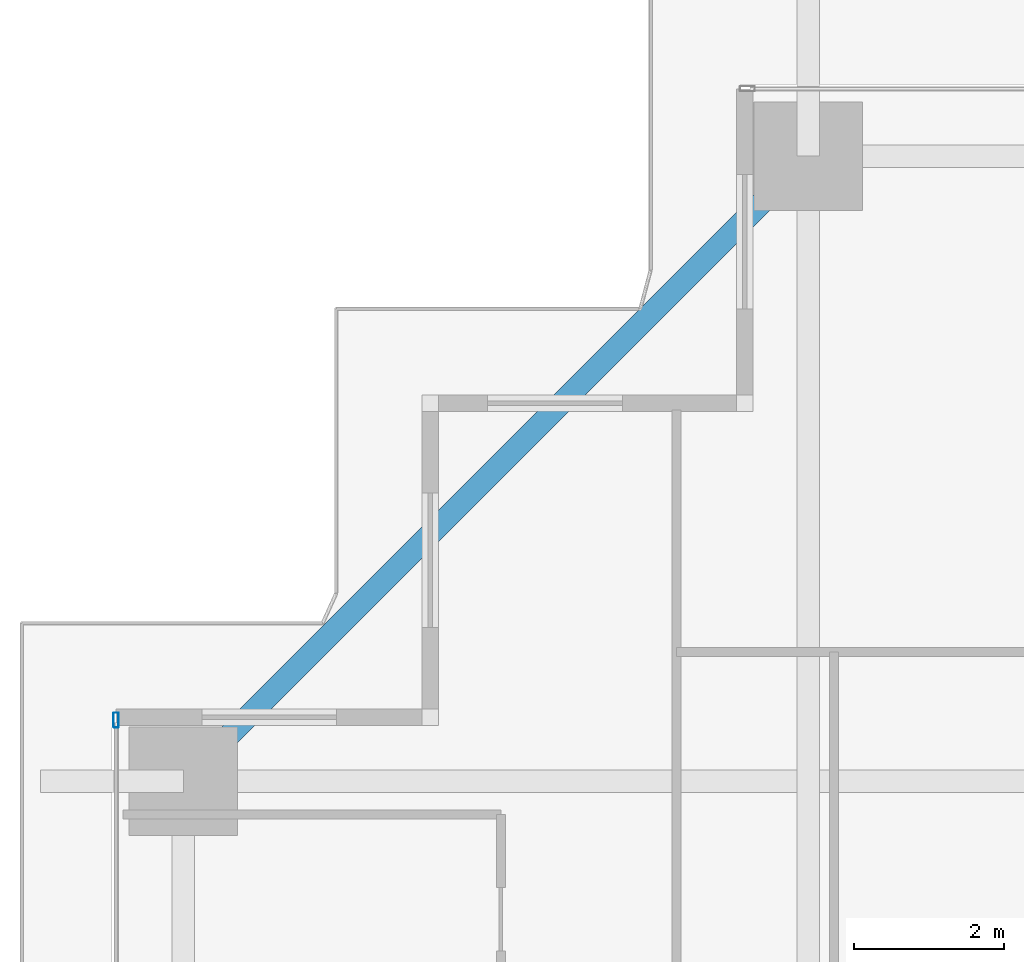
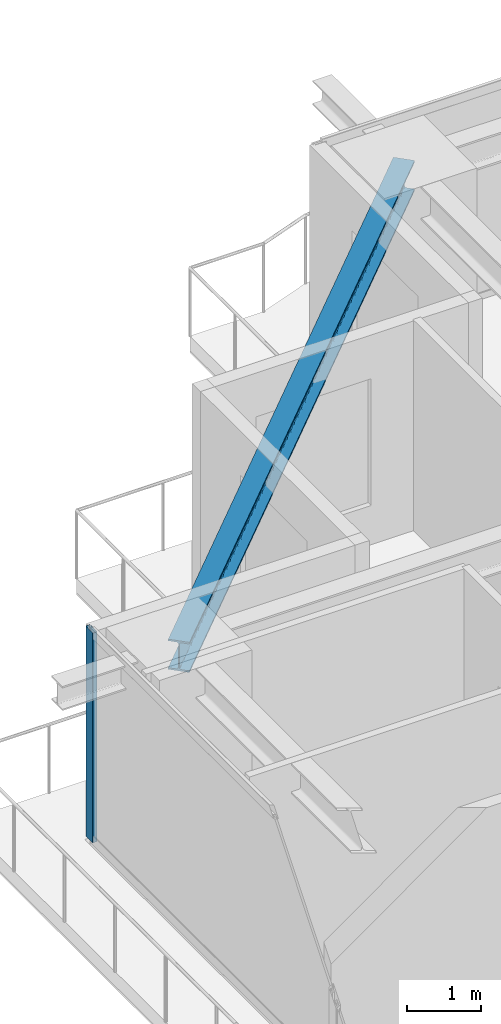
# One storey, part 18 of 38: 1 beam, 1 member, 1 element without a shape of its own.
"""IFC4 building model written with IfcOpenShell, lengths in metres."""

import ifcopenshell
import ifcopenshell.guid

model = None  # the IFC model being written
_history = None  # IfcOwnerHistory: only IFC2X3 demands one
_inside = {}  # id of a spatial element -> (the spatial element, [elements in it])
_under = {}  # id of a project, library or spatial element -> (it, [spatial elements below it])
_declared = {}  # id of a project -> (the project, [libraries it declares])
_typed = {}  # id of a type object -> (the type object, [elements of that type])
_made_of = {}  # id of a material, layer set ... -> (it, [elements and type objects made of it])


def new_model(schema):
    """Start an empty IFC model of exactly this schema.

    Asked for "IFC4X3", IfcOpenShell would pick the latest addendum, in which some entities
    have other attributes; the version numbers below select the first issue.
    IFC2X3 requires an IfcOwnerHistory on every rooted entity: one is made here for all.
    """
    global model, _history
    if schema == "IFC4X3":
        model = ifcopenshell.file(schema_version=(4, 3, 0, 0))
    else:
        model = ifcopenshell.file(schema=schema)
    _inside.clear()
    _under.clear()
    _declared.clear()
    _typed.clear()
    _made_of.clear()
    _history = None
    if model.schema == "IFC2X3":
        org = make("IfcOrganization", Name="unknown")
        user = make(
            "IfcPersonAndOrganization",
            ThePerson=make("IfcPerson", FamilyName="unknown"),
            TheOrganization=org,
        )
        app = make(
            "IfcApplication",
            ApplicationDeveloper=org,
            Version="unknown",
            ApplicationFullName="unknown",
            ApplicationIdentifier="unknown",
        )
        _history = make(
            "IfcOwnerHistory",
            OwningUser=user,
            OwningApplication=app,
            ChangeAction="ADDED",
            CreationDate=0,
        )
    return model


def make(cls, **values):
    """One entity of the class cls with the attributes given. An attribute that is None is left unset."""
    return model.create_entity(
        cls, **{name: value for name, value in values.items() if value is not None}
    )


def rooted(cls, **values):
    """An entity with a GlobalId (a new one), such as an element, a storey or a relation."""
    return make(cls, GlobalId=ifcopenshell.guid.new(), OwnerHistory=_history, **values)


def si_unit(unit_type, name, prefix=None):
    """IfcSIUnit, for example si_unit("LENGTHUNIT", "METRE", prefix="MILLI")."""
    return make("IfcSIUnit", UnitType=unit_type, Prefix=prefix, Name=name)


def assignment(units):
    """IfcUnitAssignment: the units of a project."""
    return None if units is None else make("IfcUnitAssignment", Units=units)


def point(xyz):
    """IfcCartesianPoint."""
    return None if xyz is None else make("IfcCartesianPoint", Coordinates=xyz)


def direction(xyz):
    """IfcDirection."""
    return None if xyz is None else make("IfcDirection", DirectionRatios=xyz)


def frame(location, z_axis=None, x_axis=None):
    """IfcAxis2Placement3D, a coordinate frame: its origin and axes. An axis left out is left unset."""
    return make(
        "IfcAxis2Placement3D",
        Location=point(location),
        Axis=direction(z_axis),
        RefDirection=direction(x_axis),
    )


def frame_2d(location, x_axis=None):
    """IfcAxis2Placement2D, a coordinate frame in the plane: its origin and x axis."""
    return make(
        "IfcAxis2Placement2D", Location=point(location), RefDirection=direction(x_axis)
    )


def origin():
    """The frame at (0, 0, 0) with its axes left unset."""
    return frame((0.0, 0.0, 0.0))


def origin_2d():
    """The frame at (0, 0) in the plane with its x axis left unset."""
    return frame_2d((0.0, 0.0))


def place(relative_to, where):
    """IfcLocalPlacement: puts the frame where relative to a parent placement (None: the world)."""
    return make(
        "IfcLocalPlacement", PlacementRelTo=relative_to, RelativePlacement=where
    )


def context(
    kind, dimensions, precision=None, world=None, true_north=None, identifier=None
):
    """IfcGeometricRepresentationContext, for example the 3D "Model" context."""
    return make(
        "IfcGeometricRepresentationContext",
        ContextIdentifier=identifier,
        ContextType=kind,
        CoordinateSpaceDimension=dimensions,
        Precision=precision,
        WorldCoordinateSystem=world,
        TrueNorth=true_north,
    )


def subcontext(parent, identifier, kind, view, scale=None):
    """IfcGeometricRepresentationSubContext, for example "Body" below "Model"."""
    return make(
        "IfcGeometricRepresentationSubContext",
        ContextIdentifier=identifier,
        ContextType=kind,
        ParentContext=parent,
        TargetScale=scale,
        TargetView=view,
    )


def project(units=None, contexts=None):
    """IfcProject with its units and contexts."""
    return rooted(
        "IfcProject",
        Name="project",
        RepresentationContexts=contexts,
        UnitsInContext=assignment(units),
    )


def spatial(cls, under=None, at=None, **own):
    """A site, building, storey or space (cls), placed at a placement, below another one or the project."""
    s = rooted(cls, ObjectPlacement=at, **own)
    if under is not None:
        _under.setdefault(under.id(), (under, []))[1].append(s)
    return s


def profile(cls, at=None, kind="AREA", **sizes):
    """A parametric profile (cls). Its sizes go by their IFC names, for example OverallWidth=200.0."""
    return make(cls, ProfileType=kind, Position=at, **sizes)


def hollow_rectangle(**sizes):
    """IfcRectangleHollowProfileDef."""
    return profile("IfcRectangleHollowProfileDef", **sizes)


def i_section(**sizes):
    """IfcIShapeProfileDef."""
    return profile("IfcIShapeProfileDef", **sizes)


def extrude(swept, where, along, depth):
    """IfcExtrudedAreaSolid: the profile swept, set in the frame where, extruded along a direction by depth."""
    return make(
        "IfcExtrudedAreaSolid",
        SweptArea=swept,
        Position=where,
        ExtrudedDirection=direction(along),
        Depth=depth,
    )


def shape(context_of_items, identifier, shape_type, items):
    """IfcShapeRepresentation: the items that make up one representation, for example the "Body"."""
    return make(
        "IfcShapeRepresentation",
        ContextOfItems=context_of_items,
        RepresentationIdentifier=identifier,
        RepresentationType=shape_type,
        Items=items,
    )


def source(mapping_origin, context_of_items, identifier, shape_type, items):
    """IfcRepresentationMap: a shape defined once, which mapped items show again and again."""
    return make(
        "IfcRepresentationMap",
        MappingOrigin=mapping_origin,
        MappedRepresentation=shape(context_of_items, identifier, shape_type, items),
    )


def transform(
    local_origin,
    x_axis=None,
    y_axis=None,
    z_axis=None,
    scale=None,
    scale2=None,
    scale3=None,
    uniform=True,
):
    """IfcCartesianTransformationOperator3D, or its non-uniform kind. x_axis, y_axis, z_axis: its Axis1, 2, 3."""
    if uniform:
        return make(
            "IfcCartesianTransformationOperator3D",
            Axis1=direction(x_axis),
            Axis2=direction(y_axis),
            LocalOrigin=point(local_origin),
            Scale=scale,
            Axis3=direction(z_axis),
        )
    return make(
        "IfcCartesianTransformationOperator3DnonUniform",
        Axis1=direction(x_axis),
        Axis2=direction(y_axis),
        LocalOrigin=point(local_origin),
        Scale=scale,
        Axis3=direction(z_axis),
        Scale2=scale2,
        Scale3=scale3,
    )


def mapped(mapping_source, mapping_target):
    """IfcMappedItem: shows the shape of a source again, moved by a transform."""
    return make(
        "IfcMappedItem", MappingSource=mapping_source, MappingTarget=mapping_target
    )


def material(Name=None, Category=None):
    """IfcMaterial."""
    return make("IfcMaterial", Name=Name, Category=Category)


def layer(
    of_material, thickness, ventilated=None, Name=None, Category=None, Priority=None
):
    """IfcMaterialLayer: one layer of a wall or slab, of a material (None: an air gap)."""
    return make(
        "IfcMaterialLayer",
        Material=of_material,
        LayerThickness=thickness,
        IsVentilated=ventilated,
        Name=Name,
        Category=Category,
        Priority=Priority,
    )


def layer_set(layers, Name=None):
    """IfcMaterialLayerSet."""
    return make("IfcMaterialLayerSet", MaterialLayers=layers, LayerSetName=Name)


def material_profile(
    of_material, cross_section, Name=None, Category=None, Priority=None
):
    """IfcMaterialProfile: a cross section and its material."""
    return make(
        "IfcMaterialProfile",
        Name=Name,
        Material=of_material,
        Profile=cross_section,
        Priority=Priority,
        Category=Category,
    )


def profile_set(profiles, Name=None, composite=None):
    """IfcMaterialProfileSet."""
    return make(
        "IfcMaterialProfileSet",
        Name=Name,
        MaterialProfiles=profiles,
        CompositeProfile=composite,
    )


def made_of(thing, what):
    """Note that an element or type object is made of a material, layer set ...; save() writes the relation."""
    if what is not None:
        _made_of.setdefault(what.id(), (what, []))[1].append(thing)
    return thing


def type_object(cls, material=None, **own):
    """A type object (cls), such as IfcWallType, which elements share."""
    return made_of(rooted(cls, **own), material)


def element(
    cls,
    number,
    at=None,
    inside=None,
    cuts=None,
    type_object=None,
    material=None,
    context=None,
    identifier="Body",
    shape_type=None,
    held_by="IfcProductDefinitionShape",
    body=None,
    shapes=None,
    **own,
):
    """One element of the class cls, such as IfcWall. Its Tag is "e" and its number.

    at: its placement. inside: the storey or other place that contains it. cuts: it is an
    opening in that element (IfcRelVoidsElement). A single representation is given by context,
    identifier, shape_type and body (its items); several are given by shapes. held_by: the class
    of the entity that holds the representations. save() writes the other relations.
    """
    e = rooted(cls, Tag="e%d" % number, ObjectPlacement=at, **own)
    if body is not None:
        shapes = [shape(context, identifier, shape_type, body)]
    if shapes is not None:
        e.Representation = make(held_by, Representations=shapes)
    if inside is not None:
        _inside.setdefault(inside.id(), (inside, []))[1].append(e)
    if cuts is not None:
        rooted(
            "IfcRelVoidsElement", RelatingBuildingElement=cuts, RelatedOpeningElement=e
        )
    if type_object is not None:
        _typed.setdefault(type_object.id(), (type_object, []))[1].append(e)
    return made_of(e, material)


def aggregate(whole, parts):
    """IfcRelAggregates: a whole, such as a stair, and the parts it consists of."""
    return rooted("IfcRelAggregates", RelatingObject=whole, RelatedObjects=parts)


def save(model, path):
    """Write the relations noted so far, then the file.

    IfcRelAggregates (storeys below a building ...), IfcRelContainedInSpatialStructure (elements
    in a storey), IfcRelDefinesByType, IfcRelAssociatesMaterial and IfcRelDeclares: one each for
    every whole, place, type object, material and project.
    """
    for whole, parts in _under.values():
        aggregate(whole, parts)
    for where, things in _inside.values():
        rooted(
            "IfcRelContainedInSpatialStructure",
            RelatedElements=things,
            RelatingStructure=where,
        )
    for kind, things in _typed.values():
        rooted("IfcRelDefinesByType", RelatedObjects=things, RelatingType=kind)
    for what, things in _made_of.values():
        rooted("IfcRelAssociatesMaterial", RelatedObjects=things, RelatingMaterial=what)
    for by, libraries in _declared.values():
        rooted("IfcRelDeclares", RelatingContext=by, RelatedDefinitions=libraries)
    model.write(path)


model = new_model("IFC4")

# Units and contexts
model_context = context("Model", 3, precision=1e-05, world=origin(), true_north=direction((0.0, 1.0)))
body_context = subcontext(model_context, "Body", "Model", "MODEL_VIEW")
ifc_project = project(units=[si_unit("LENGTHUNIT", "METRE"), si_unit("AREAUNIT", "SQUARE_METRE"), si_unit("VOLUMEUNIT", "CUBIC_METRE"), si_unit("PLANEANGLEUNIT", "RADIAN"), si_unit("MASSUNIT", "GRAM", prefix="KILO")], contexts=[model_context])

# Site, building, storey
site_placement = place(None, origin())
site = spatial("IfcSite", under=ifc_project, at=site_placement, CompositionType="ELEMENT")
building_placement = place(site_placement, origin())
building = spatial("IfcBuilding", under=site, at=building_placement, Name="Serunith Strait Residences", CompositionType="ELEMENT")
storey_placement = place(building_placement, frame((0.0, 0.0, 30.449951171875)))
storey = spatial("IfcBuildingStorey", under=building, at=storey_placement, Name="L06", CompositionType="ELEMENT", Elevation=30.449951171875)

# Beam
ifc_material_1 = material(Name="Steel S355J2", Category="steel")
ifc_material_profile_1 = material_profile(ifc_material_1, i_section(OverallWidth=0.300048828125, OverallDepth=0.5, WebThickness=0.014404296875, FlangeThickness=0.028076171875, FilletRadius=0.027099609375, at=origin_2d()), Name="HEB 500")
ifc_profile_set_1 = profile_set([ifc_material_profile_1], Name="Steel S355J2")
beam_type = type_object("IfcBeamType", Name="BM-HEB500", PredefinedType="BEAM", material=ifc_profile_set_1)
shared_shape_1 = source(origin(), body_context, "Body", "SweptSolid", [
    extrude(i_section(OverallWidth=0.300048828125, OverallDepth=0.5, WebThickness=0.014404296875, FlangeThickness=0.028076171875, FilletRadius=0.027099609375, at=origin_2d()), origin(), (0.0, 0.0, 1.0), 11.808837890625),
])
beam_placement = place(storey_placement, frame((15.25, 49.300048828125, 3.20703125), z_axis=(-0.707106781187, -0.707106781187, 0.0), x_axis=(0.707106781187, -0.707106781187, 0.0)))
element("IfcBeam", 1, at=beam_placement, inside=storey, type_object=beam_type, Name="L06 Perimeter Ring Beam 12", PredefinedType="BEAM", context=body_context, shape_type="MappedRepresentation", body=[
    mapped(shared_shape_1, transform((0.0, 0.0, 0.0), scale=1.0)),
])

# Curtain wall, member
ifc_material_2 = material(Name="Pale-Champagne Anodised Aluminium", Category="aluminium")
ifc_layer = layer(ifc_material_2, 0.199951171875, Name="Pale-Champagne Anodised Aluminium")
ifc_layer_set = layer_set([ifc_layer], Name="Pale-Champagne Anodised Aluminium")
curtain_wall_type = type_object("IfcCurtainWallType", Name="CW-SYS1", PredefinedType="NOTDEFINED", material=ifc_layer_set)
curtain_wall_placement = place(storey_placement, origin())
curtain_wall = element("IfcCurtainWall", 2, at=curtain_wall_placement, inside=storey, type_object=curtain_wall_type, Name="L06 W Unitised Fritted Curtain Wall", PredefinedType="NOTDEFINED")
ifc_material_profile_2 = material_profile(ifc_material_2, hollow_rectangle(XDim=0.070068359375, YDim=0.199951171875, WallThickness=0.00390625, InnerFilletRadius=0.006103515625, OuterFilletRadius=0.010009765625, at=origin_2d()), Name="ALU 200x70x4")
ifc_profile_set_2 = profile_set([ifc_material_profile_2], Name="Pale-Champagne Anodised Aluminium")
member_type = type_object("IfcMemberType", Name="CW-SYS1-MULL", PredefinedType="MULLION", material=ifc_profile_set_2)
shared_shape_2 = source(origin(), body_context, "Body", "SweptSolid", [
    extrude(hollow_rectangle(XDim=0.070068359375, YDim=0.199951171875, WallThickness=0.00390625, InnerFilletRadius=0.006103515625, OuterFilletRadius=0.010009765625, at=origin_2d()), origin(), (0.0, 0.0, 1.0), 3.47509765625),
])
member_placement = place(storey_placement, frame((6.0, 41.764892578125, 0.0), z_axis=(0.0, 0.0, 1.0), x_axis=(1.0, 0.0, 0.0)))
member = element("IfcMember", 3, at=member_placement, type_object=member_type, Name="CW-1 mullion 1", PredefinedType="MULLION", context=body_context, shape_type="MappedRepresentation", body=[
    mapped(shared_shape_2, transform((0.0, 0.0, 0.0), scale=1.0)),
])
aggregate(curtain_wall, [member])

save(model, "model.ifc")
